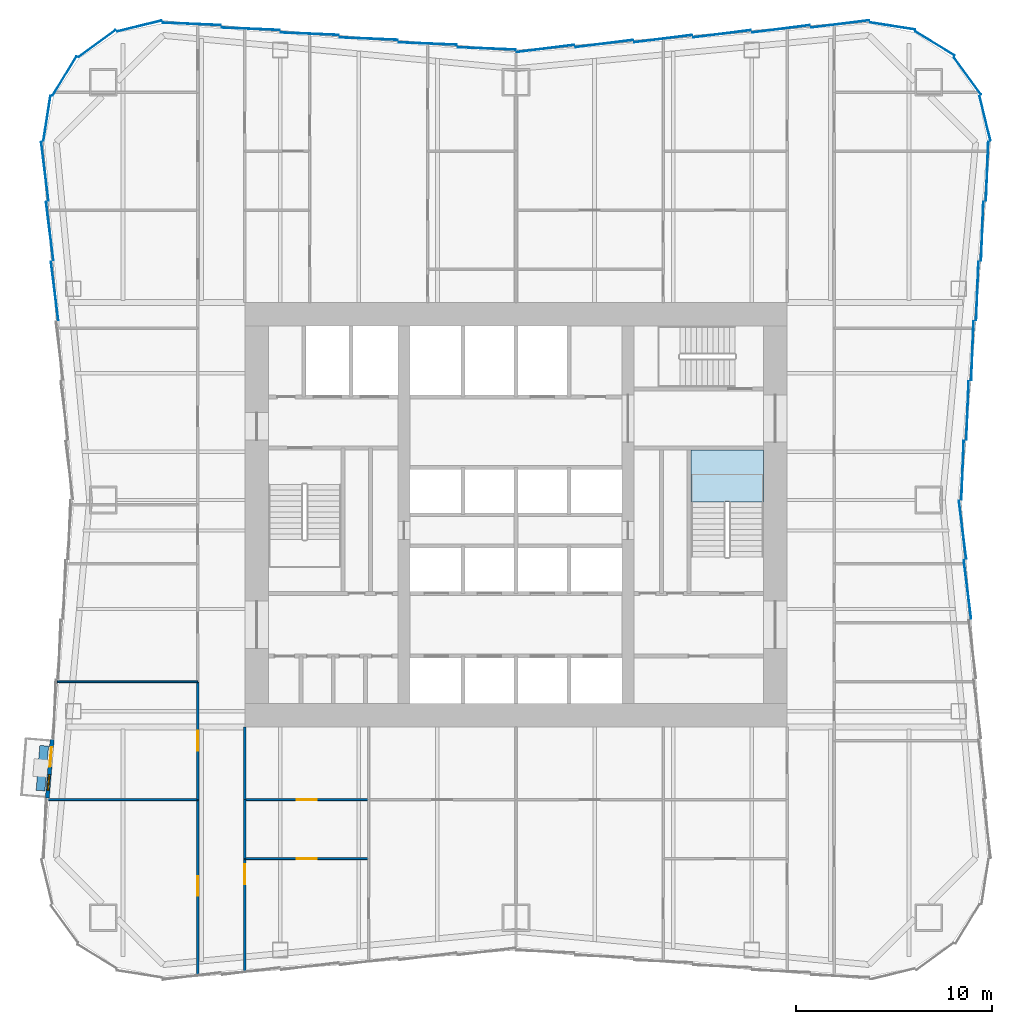
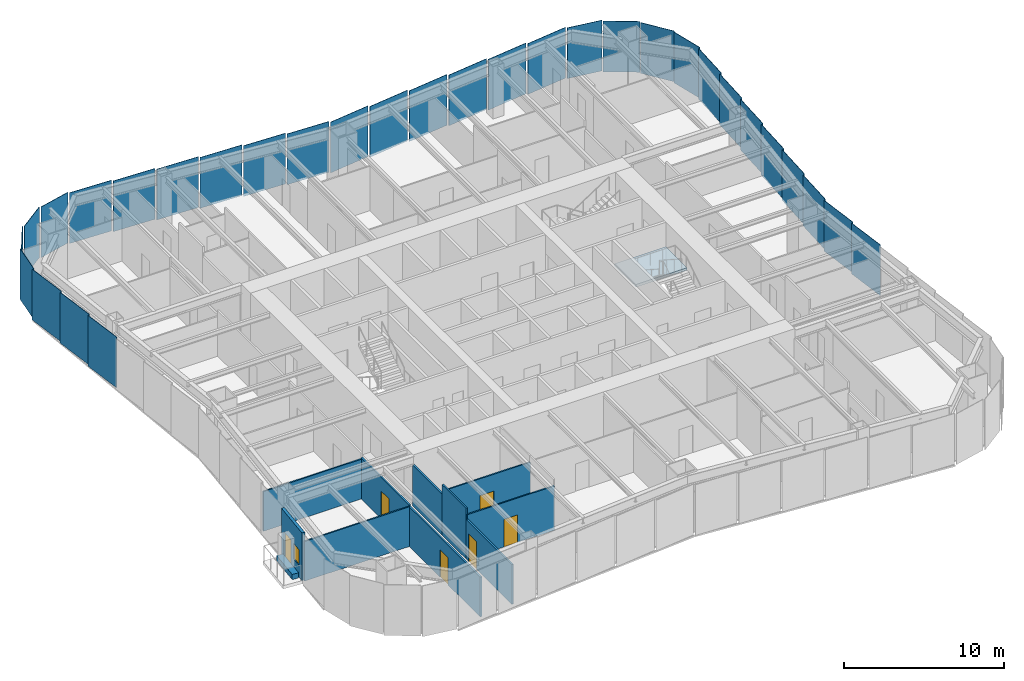
# One storey, part 3 of 9: 31 plates, 11 walls, 6 doors, 1 slab, 1 window, 7 openings, 6 elements without a shape of their own.
"""IFC4 building model written with IfcOpenShell, lengths in metres."""

from ifc_helpers import new_model, si_unit, direction, frame, frame_2d, origin, origin_2d, place, context, subcontext, project, spatial, polyline, rectangle, outline, extrude, material, layer, layer_set, type_object, element, fill, aggregate, save


model = new_model("IFC4")

# Units and contexts
model_context = context("Model", 3, precision=1e-05, world=origin(), true_north=direction((0.0, 1.0)))
body_context = subcontext(model_context, "Body", "Model", "MODEL_VIEW")
ifc_project = project(units=[si_unit("LENGTHUNIT", "METRE"), si_unit("AREAUNIT", "SQUARE_METRE"), si_unit("VOLUMEUNIT", "CUBIC_METRE"), si_unit("PLANEANGLEUNIT", "RADIAN"), si_unit("MASSUNIT", "GRAM", prefix="KILO")], contexts=[model_context])

# Site, building, storey
site_placement = place(None, origin())
site = spatial("IfcSite", under=ifc_project, at=site_placement, CompositionType="ELEMENT")
building_placement = place(site_placement, origin())
building = spatial("IfcBuilding", under=site, at=building_placement, Name="Verdant Reach Tower", CompositionType="ELEMENT")
storey_placement = place(building_placement, frame((0.0, 0.0, 78.0)))
storey = spatial("IfcBuildingStorey", under=building, at=storey_placement, Name="L17", CompositionType="ELEMENT", Elevation=78.0)

# Stair, slab
ifc_material_1 = material(Name="Concrete C40/50", Category="concrete")
stair_type = type_object("IfcStairType", Name="CO-STAIR", PredefinedType="HALF_TURN_STAIR", material=ifc_material_1)
stair_placement = place(storey_placement, origin())
stair = element("IfcStair", 1, at=stair_placement, inside=storey, type_object=stair_type, Name="L17 Exit stair 2", PredefinedType="HALF_TURN_STAIR")
ifc_layer_1 = layer(ifc_material_1, 0.199951171875)
ifc_layer_set_1 = layer_set([ifc_layer_1], Name="CO-STAIR-LANDING")
slab_type = type_object("IfcSlabType", Name="CO-STAIR-LANDING", PredefinedType="LANDING", material=ifc_layer_set_1)
slab_placement = place(storey_placement, frame((0.0, 0.0, 1.800048828125)))
slab = element("IfcSlab", 2, at=slab_placement, type_object=slab_type, Name="ST-2 landing 1", PredefinedType="LANDING", context=body_context, shape_type="SweptSolid", body=[
    extrude(outline(polyline([(12.60009765625, 28.64990234375), (12.60009765625, 31.300048828125), (8.89990234375, 31.300048828125), (8.89990234375, 28.64990234375), (12.60009765625, 28.64990234375)])), origin(), (0.0, 0.0, 1.0), 0.199951171875),
])
aggregate(stair, [slab])

# Curtain wall, plates
ifc_material_2 = material(Name="Anodised aluminium", Category="aluminium")
curtain_wall_type = type_object("IfcCurtainWallType", Name="EN-CW SYSTEM Z1", PredefinedType="NOTDEFINED", material=ifc_material_2)
curtain_wall_1_placement = place(storey_placement, origin())
curtain_wall_1 = element("IfcCurtainWall", 3, at=curtain_wall_1_placement, inside=storey, type_object=curtain_wall_type, Name="Curtain wall east, L17", PredefinedType="NOTDEFINED")
ifc_material_3 = material(Name="Tinted glass with champagne spandrel", Category="glass")
ifc_layer_2 = layer(ifc_material_3, 0.031982421875)
ifc_layer_set_2 = layer_set([ifc_layer_2], Name="EN-PANEL CHAMPAGNE")
plate_type_1 = type_object("IfcPlateType", Name="EN-PANEL CHAMPAGNE", PredefinedType="CURTAIN_PANEL", material=ifc_layer_set_2)
plate_1_placement = place(storey_placement, frame((22.9775390625, 24.196044921875, -0.22802734375), z_axis=(0.0, 0.0, 1.0), x_axis=(-0.123578623975, 0.992334784081, 0.0)))
plate_1 = element("IfcPlate", 4, at=plate_1_placement, type_object=plate_type_1, Name="Glass panel east face part 1 5.1, L17", PredefinedType="CURTAIN_PANEL", context=body_context, shape_type="SweptSolid", body=[
    extrude(rectangle(XDim=2.993896484375, YDim=0.031982421875, at=origin_2d()), origin(), (0.0, 0.0, 1.0), 3.8779296875),
])
plate_2_placement = place(storey_placement, frame((22.727783203125, 27.2333984375, -0.22802734375), z_axis=(0.0, 0.0, 1.0), x_axis=(-0.123691487663, 0.992320722287, 0.0)))
plate_2 = element("IfcPlate", 5, at=plate_2_placement, type_object=plate_type_1, Name="Glass panel east face part 1 6.1, L17", PredefinedType="CURTAIN_PANEL", context=body_context, shape_type="SweptSolid", body=[
    extrude(rectangle(XDim=2.985595703125, YDim=0.031982421875, at=origin_2d()), origin(), (0.0, 0.0, 1.0), 3.8779296875),
])
plate_3_placement = place(storey_placement, frame((22.727783203125, 30.2666015625, -0.22802734375), z_axis=(0.0, 0.0, 1.0), x_axis=(0.040222426271, 0.99919075077, 0.0)))
plate_3 = element("IfcPlate", 6, at=plate_3_placement, type_object=plate_type_1, Name="Glass panel east face part 2 1.1, L17", PredefinedType="CURTAIN_PANEL", context=body_context, shape_type="SweptSolid", body=[
    extrude(rectangle(XDim=2.985595703125, YDim=0.031982421875, at=origin_2d()), origin(), (0.0, 0.0, 1.0), 3.8779296875),
])

curtain_wall_2_placement = place(storey_placement, origin())
curtain_wall_2 = element("IfcCurtainWall", 7, at=curtain_wall_2_placement, inside=storey, type_object=curtain_wall_type, Name="Curtain wall north, L17", PredefinedType="NOTDEFINED")
plate_4_placement = place(storey_placement, frame((7.491455078125, 52.2275390625, -0.22802734375), z_axis=(0.0, 0.0, 1.0), x_axis=(-0.992194034542, -0.124703639961, 0.0)))
plate_4 = element("IfcPlate", 8, at=plate_4_placement, type_object=plate_type_1, Name="Glass panel north face part 1 4.1, L17", PredefinedType="CURTAIN_PANEL", context=body_context, shape_type="SweptSolid", body=[
    extrude(rectangle(XDim=2.952392578125, YDim=0.031982421875, at=origin_2d()), origin(), (0.0, 0.0, 1.0), 3.8779296875),
])
plate_5_placement = place(storey_placement, frame((4.491455078125, 51.9775390625, -0.22802734375), z_axis=(0.0, 0.0, 1.0), x_axis=(-0.992194034542, -0.124703639961, 0.0)))
plate_5 = element("IfcPlate", 9, at=plate_5_placement, type_object=plate_type_1, Name="Glass panel north face part 1 5.1, L17", PredefinedType="CURTAIN_PANEL", context=body_context, shape_type="SweptSolid", body=[
    extrude(rectangle(XDim=2.952392578125, YDim=0.031982421875, at=origin_2d()), origin(), (0.0, 0.0, 1.0), 3.8779296875),
])
plate_6_placement = place(storey_placement, frame((-13.491455078125, 52.7275390625, -0.22802734375), z_axis=(0.0, 0.0, 1.0), x_axis=(-0.999149202059, 0.041241629766, 0.0)))
plate_6 = element("IfcPlate", 10, at=plate_6_placement, type_object=plate_type_1, Name="Glass panel north face part 2 5.1, L17", PredefinedType="CURTAIN_PANEL", context=body_context, shape_type="SweptSolid", body=[
    extrude(rectangle(XDim=2.952392578125, YDim=0.031982421875, at=origin_2d()), origin(), (0.0, 0.0, 1.0), 3.8779296875),
])
plate_7_placement = place(storey_placement, frame((-16.49853515625, 52.977783203125, -0.22802734375), z_axis=(0.0, 0.0, 1.0), x_axis=(-0.999162836679, 0.040909971885, 0.0)))
plate_7 = element("IfcPlate", 11, at=plate_7_placement, type_object=plate_type_1, Name="Glass panel north face part 2 6.1, L17", PredefinedType="CURTAIN_PANEL", context=body_context, shape_type="SweptSolid", body=[
    extrude(rectangle(XDim=2.966796875, YDim=0.031982421875, at=origin_2d()), origin(), (0.0, 0.0, 1.0), 3.8779296875),
])

# Curtain wall, plate
curtain_wall_3_placement = place(storey_placement, origin())
curtain_wall_3 = element("IfcCurtainWall", 12, at=curtain_wall_3_placement, inside=storey, type_object=curtain_wall_type, Name="Curtain wall north-west corner, L17", PredefinedType="NOTDEFINED")
plate_8_placement = place(storey_placement, frame((-23.87060546875, 48.170654296875, -0.22802734375), z_axis=(0.0, 0.0, 1.0), x_axis=(-0.154247912016, -0.988032176419, 0.0)))
plate_8 = element("IfcPlate", 13, at=plate_8_placement, type_object=plate_type_1, Name="Glass panel north-west corner 4.1, L17", PredefinedType="CURTAIN_PANEL", context=body_context, shape_type="SweptSolid", body=[
    extrude(rectangle(XDim=2.3173828125, YDim=0.031982421875, at=origin_2d()), origin(), (0.0, 0.0, 1.0), 3.8779296875),
])

# Curtain wall, plates
curtain_wall_4_placement = place(storey_placement, origin())
curtain_wall_4 = element("IfcCurtainWall", 14, at=curtain_wall_4_placement, inside=storey, type_object=curtain_wall_type, Name="Curtain wall west, L17", PredefinedType="NOTDEFINED")
plate_9_placement = place(storey_placement, frame((-23.7275390625, 42.428955078125, -0.22802734375), z_axis=(0.0, 0.0, 1.0), x_axis=(0.123578623975, -0.992334784081, 0.0)))
plate_9 = element("IfcPlate", 15, at=plate_9_placement, type_object=plate_type_1, Name="Glass panel west face part 1 2.1, L17", PredefinedType="CURTAIN_PANEL", context=body_context, shape_type="SweptSolid", body=[
    extrude(rectangle(XDim=2.993896484375, YDim=0.031982421875, at=origin_2d()), origin(), (0.0, 0.0, 1.0), 3.8779296875),
])
plate_10_placement = place(storey_placement, frame((-23.4775390625, 39.387451171875, -0.22802734375), z_axis=(0.0, 0.0, 1.0), x_axis=(0.123578623975, -0.992334784081, 0.0)))
plate_10 = element("IfcPlate", 16, at=plate_10_placement, type_object=plate_type_1, Name="Glass panel west face part 1 3.1, L17", PredefinedType="CURTAIN_PANEL", context=body_context, shape_type="SweptSolid", body=[
    extrude(rectangle(XDim=2.993896484375, YDim=0.031982421875, at=origin_2d()), origin(), (0.0, 0.0, 1.0), 3.8779296875),
])

# Plate
ifc_material_4 = material(Name="Tinted glass with copper spandrel", Category="glass")
ifc_layer_3 = layer(ifc_material_4, 0.031982421875)
ifc_layer_set_3 = layer_set([ifc_layer_3], Name="EN-PANEL COPPER")
plate_type_2 = type_object("IfcPlateType", Name="EN-PANEL COPPER", PredefinedType="CURTAIN_PANEL", material=ifc_layer_set_3)
plate_11_placement = place(storey_placement, frame((22.9775390625, 33.303955078125, -0.22802734375), z_axis=(0.0, 0.0, 1.0), x_axis=(0.040108781752, 0.999195319057, 0.0)))
plate_11 = element("IfcPlate", 17, at=plate_11_placement, type_object=plate_type_2, Name="Glass panel east face part 2 2.1, L17", PredefinedType="CURTAIN_PANEL", context=body_context, shape_type="SweptSolid", body=[
    extrude(rectangle(XDim=2.993896484375, YDim=0.031982421875, at=origin_2d()), origin(), (0.0, 0.0, 1.0), 3.8779296875),
])

plate_12_placement = place(storey_placement, frame((23.2275390625, 36.345703125, -0.22802734375), z_axis=(0.0, 0.0, 1.0), x_axis=(0.040108781752, 0.999195319057, 0.0)))
plate_12 = element("IfcPlate", 18, at=plate_12_placement, type_object=plate_type_2, Name="Glass panel east face part 2 3.1, L17", PredefinedType="CURTAIN_PANEL", context=body_context, shape_type="SweptSolid", body=[
    extrude(rectangle(XDim=2.993896484375, YDim=0.031982421875, at=origin_2d()), origin(), (0.0, 0.0, 1.0), 3.8779296875),
])

# Curtain wall, plates
curtain_wall_5_placement = place(storey_placement, origin())
curtain_wall_5 = element("IfcCurtainWall", 19, at=curtain_wall_5_placement, inside=storey, type_object=curtain_wall_type, Name="Curtain wall north-east corner, L17", PredefinedType="NOTDEFINED")
plate_13_placement = place(storey_placement, frame((23.87060546875, 48.170654296875, -0.22802734375), z_axis=(0.0, 0.0, 1.0), x_axis=(-0.236383344544, 0.971659875894, 0.0)))
plate_13 = element("IfcPlate", 20, at=plate_13_placement, type_object=plate_type_2, Name="Glass panel north-east corner 1.1, L17", PredefinedType="CURTAIN_PANEL", context=body_context, shape_type="SweptSolid", body=[
    extrude(rectangle(XDim=2.3173828125, YDim=0.031982421875, at=origin_2d()), origin(), (0.0, 0.0, 1.0), 3.8779296875),
])
plate_14_placement = place(storey_placement, frame((22.97705078125, 50.325439453125, -0.22802734375), z_axis=(0.0, 0.0, 1.0), x_axis=(-0.589926768145, 0.807456753161, 0.0)))
plate_14 = element("IfcPlate", 21, at=plate_14_placement, type_object=plate_type_2, Name="Glass panel north-east corner 2.1, L17", PredefinedType="CURTAIN_PANEL", context=body_context, shape_type="SweptSolid", body=[
    extrude(rectangle(XDim=2.3232421875, YDim=0.031982421875, at=origin_2d()), origin(), (0.0, 0.0, 1.0), 3.8779296875),
])

# Plate
plate_15_placement = place(storey_placement, frame((1.49560546875, 51.727783203125, -0.22802734375), z_axis=(0.0, 0.0, 1.0), x_axis=(-0.992179247355, -0.124821236644, 0.0)))
plate_15 = element("IfcPlate", 22, at=plate_15_placement, type_object=plate_type_2, Name="Glass panel north face part 1 6.1, L17", PredefinedType="CURTAIN_PANEL", context=body_context, shape_type="SweptSolid", body=[
    extrude(rectangle(XDim=2.94384765625, YDim=0.031982421875, at=origin_2d()), origin(), (0.0, 0.0, 1.0), 3.8779296875),
])

plate_16_placement = place(storey_placement, frame((-1.49560546875, 51.727783203125, -0.22802734375), z_axis=(0.0, 0.0, 1.0), x_axis=(-0.99914430697, 0.041360051381, 0.0)))
plate_16 = element("IfcPlate", 23, at=plate_16_placement, type_object=plate_type_2, Name="Glass panel north face part 2 1.1, L17", PredefinedType="CURTAIN_PANEL", context=body_context, shape_type="SweptSolid", body=[
    extrude(rectangle(XDim=2.94384765625, YDim=0.031982421875, at=origin_2d()), origin(), (0.0, 0.0, 1.0), 3.8779296875),
])

plate_17_placement = place(storey_placement, frame((-4.491455078125, 51.9775390625, -0.22802734375), z_axis=(0.0, 0.0, 1.0), x_axis=(-0.999149202059, 0.041241629766, 0.0)))
plate_17 = element("IfcPlate", 24, at=plate_17_placement, type_object=plate_type_2, Name="Glass panel north face part 2 2.1, L17", PredefinedType="CURTAIN_PANEL", context=body_context, shape_type="SweptSolid", body=[
    extrude(rectangle(XDim=2.952392578125, YDim=0.031982421875, at=origin_2d()), origin(), (0.0, 0.0, 1.0), 3.8779296875),
])

ifc_material_5 = material(Name="Tinted glass with dark bronze spandrel", Category="glass")
ifc_layer_4 = layer(ifc_material_5, 0.031982421875)
ifc_layer_set_4 = layer_set([ifc_layer_4], Name="EN-PANEL DARK")
plate_type_3 = type_object("IfcPlateType", Name="EN-PANEL DARK", PredefinedType="CURTAIN_PANEL", material=ifc_layer_set_4)
plate_18_placement = place(storey_placement, frame((23.4775390625, 39.387451171875, -0.22802734375), z_axis=(0.0, 0.0, 1.0), x_axis=(0.040108781752, 0.999195319057, 0.0)))
plate_18 = element("IfcPlate", 25, at=plate_18_placement, type_object=plate_type_3, Name="Glass panel east face part 2 4.1, L17", PredefinedType="CURTAIN_PANEL", context=body_context, shape_type="SweptSolid", body=[
    extrude(rectangle(XDim=2.993896484375, YDim=0.031982421875, at=origin_2d()), origin(), (0.0, 0.0, 1.0), 3.8779296875),
])

plate_19_placement = place(storey_placement, frame((23.7275390625, 42.428955078125, -0.22802734375), z_axis=(0.0, 0.0, 1.0), x_axis=(0.040108781752, 0.999195319057, 0.0)))
plate_19 = element("IfcPlate", 26, at=plate_19_placement, type_object=plate_type_3, Name="Glass panel east face part 2 5.1, L17", PredefinedType="CURTAIN_PANEL", context=body_context, shape_type="SweptSolid", body=[
    extrude(rectangle(XDim=2.993896484375, YDim=0.031982421875, at=origin_2d()), origin(), (0.0, 0.0, 1.0), 3.8779296875),
])

plate_20_placement = place(storey_placement, frame((23.977783203125, 45.477783203125, -0.22802734375), z_axis=(0.0, 0.0, 1.0), x_axis=(0.039784239139, 0.999208293759, 0.0)))
plate_20 = element("IfcPlate", 27, at=plate_20_placement, type_object=plate_type_3, Name="Glass panel east face part 2 6.1, L17", PredefinedType="CURTAIN_PANEL", context=body_context, shape_type="SweptSolid", body=[
    extrude(rectangle(XDim=3.00830078125, YDim=0.031982421875, at=origin_2d()), origin(), (0.0, 0.0, 1.0), 3.8779296875),
])

aggregate(curtain_wall_1, [plate_1, plate_2, plate_3, plate_11, plate_12, plate_18, plate_19, plate_20])

plate_21_placement = place(storey_placement, frame((21.325439453125, 51.97705078125, -0.22802734375), z_axis=(0.0, 0.0, 1.0), x_axis=(-0.85398868836, 0.520291572248, 0.0)))
plate_21 = element("IfcPlate", 28, at=plate_21_placement, type_object=plate_type_3, Name="Glass panel north-east corner 3.1, L17", PredefinedType="CURTAIN_PANEL", context=body_context, shape_type="SweptSolid", body=[
    extrude(rectangle(XDim=2.3232421875, YDim=0.031982421875, at=origin_2d()), origin(), (0.0, 0.0, 1.0), 3.8779296875),
])

plate_22_placement = place(storey_placement, frame((19.170654296875, 52.87060546875, -0.22802734375), z_axis=(0.0, 0.0, 1.0), x_axis=(-0.988032704995, 0.154244526195, 0.0)))
plate_22 = element("IfcPlate", 29, at=plate_22_placement, type_object=plate_type_3, Name="Glass panel north-east corner 4.1, L17", PredefinedType="CURTAIN_PANEL", context=body_context, shape_type="SweptSolid", body=[
    extrude(rectangle(XDim=2.317626953125, YDim=0.031982421875, at=origin_2d()), origin(), (0.0, 0.0, 1.0), 3.8779296875),
])

aggregate(curtain_wall_5, [plate_13, plate_14, plate_21, plate_22])

plate_23_placement = place(storey_placement, frame((16.49853515625, 52.977783203125, -0.22802734375), z_axis=(0.0, 0.0, 1.0), x_axis=(-0.99223537376, -0.124374286167, 0.0)))
plate_23 = element("IfcPlate", 30, at=plate_23_placement, type_object=plate_type_3, Name="Glass panel north face part 1 1.1, L17", PredefinedType="CURTAIN_PANEL", context=body_context, shape_type="SweptSolid", body=[
    extrude(rectangle(XDim=2.966796875, YDim=0.031982421875, at=origin_2d()), origin(), (0.0, 0.0, 1.0), 3.8779296875),
])

plate_24_placement = place(storey_placement, frame((13.491455078125, 52.7275390625, -0.22802734375), z_axis=(0.0, 0.0, 1.0), x_axis=(-0.992194034542, -0.124703639961, 0.0)))
plate_24 = element("IfcPlate", 31, at=plate_24_placement, type_object=plate_type_3, Name="Glass panel north face part 1 2.1, L17", PredefinedType="CURTAIN_PANEL", context=body_context, shape_type="SweptSolid", body=[
    extrude(rectangle(XDim=2.952392578125, YDim=0.031982421875, at=origin_2d()), origin(), (0.0, 0.0, 1.0), 3.8779296875),
])

plate_25_placement = place(storey_placement, frame((10.491455078125, 52.4775390625, -0.22802734375), z_axis=(0.0, 0.0, 1.0), x_axis=(-0.992194034542, -0.124703639961, 0.0)))
plate_25 = element("IfcPlate", 32, at=plate_25_placement, type_object=plate_type_3, Name="Glass panel north face part 1 3.1, L17", PredefinedType="CURTAIN_PANEL", context=body_context, shape_type="SweptSolid", body=[
    extrude(rectangle(XDim=2.952392578125, YDim=0.031982421875, at=origin_2d()), origin(), (0.0, 0.0, 1.0), 3.8779296875),
])

plate_26_placement = place(storey_placement, frame((-7.491455078125, 52.2275390625, -0.22802734375), z_axis=(0.0, 0.0, 1.0), x_axis=(-0.999149202059, 0.041241629766, 0.0)))
plate_26 = element("IfcPlate", 33, at=plate_26_placement, type_object=plate_type_3, Name="Glass panel north face part 2 3.1, L17", PredefinedType="CURTAIN_PANEL", context=body_context, shape_type="SweptSolid", body=[
    extrude(rectangle(XDim=2.952392578125, YDim=0.031982421875, at=origin_2d()), origin(), (0.0, 0.0, 1.0), 3.8779296875),
])

plate_27_placement = place(storey_placement, frame((-10.491455078125, 52.4775390625, -0.22802734375), z_axis=(0.0, 0.0, 1.0), x_axis=(-0.999149202059, 0.041241629766, 0.0)))
plate_27 = element("IfcPlate", 34, at=plate_27_placement, type_object=plate_type_3, Name="Glass panel north face part 2 4.1, L17", PredefinedType="CURTAIN_PANEL", context=body_context, shape_type="SweptSolid", body=[
    extrude(rectangle(XDim=2.952392578125, YDim=0.031982421875, at=origin_2d()), origin(), (0.0, 0.0, 1.0), 3.8779296875),
])

aggregate(curtain_wall_2, [plate_23, plate_24, plate_25, plate_4, plate_5, plate_15, plate_16, plate_17, plate_26, plate_27, plate_6, plate_7])

plate_28_placement = place(storey_placement, frame((-19.170654296875, 52.87060546875, -0.22802734375), z_axis=(0.0, 0.0, 1.0), x_axis=(-0.971660685934, -0.236380014828, 0.0)))
plate_28 = element("IfcPlate", 35, at=plate_28_placement, type_object=plate_type_3, Name="Glass panel north-west corner 1.1, L17", PredefinedType="CURTAIN_PANEL", context=body_context, shape_type="SweptSolid", body=[
    extrude(rectangle(XDim=2.317626953125, YDim=0.031982421875, at=origin_2d()), origin(), (0.0, 0.0, 1.0), 3.8779296875),
])

plate_29_placement = place(storey_placement, frame((-21.325439453125, 51.97705078125, -0.22802734375), z_axis=(0.0, 0.0, 1.0), x_axis=(-0.807456753161, -0.589926768145, 0.0)))
plate_29 = element("IfcPlate", 36, at=plate_29_placement, type_object=plate_type_3, Name="Glass panel north-west corner 2.1, L17", PredefinedType="CURTAIN_PANEL", context=body_context, shape_type="SweptSolid", body=[
    extrude(rectangle(XDim=2.3232421875, YDim=0.031982421875, at=origin_2d()), origin(), (0.0, 0.0, 1.0), 3.8779296875),
])

plate_30_placement = place(storey_placement, frame((-22.97705078125, 50.325439453125, -0.22802734375), z_axis=(0.0, 0.0, 1.0), x_axis=(-0.520291572248, -0.85398868836, 0.0)))
plate_30 = element("IfcPlate", 37, at=plate_30_placement, type_object=plate_type_3, Name="Glass panel north-west corner 3.1, L17", PredefinedType="CURTAIN_PANEL", context=body_context, shape_type="SweptSolid", body=[
    extrude(rectangle(XDim=2.3232421875, YDim=0.031982421875, at=origin_2d()), origin(), (0.0, 0.0, 1.0), 3.8779296875),
])

aggregate(curtain_wall_3, [plate_28, plate_29, plate_30, plate_8])

plate_31_placement = place(storey_placement, frame((-23.977783203125, 45.477783203125, -0.22802734375), z_axis=(0.0, 0.0, 1.0), x_axis=(0.123256305275, -0.992374870304, 0.0)))
plate_31 = element("IfcPlate", 38, at=plate_31_placement, type_object=plate_type_3, Name="Glass panel west face part 1 1.1, L17", PredefinedType="CURTAIN_PANEL", context=body_context, shape_type="SweptSolid", body=[
    extrude(rectangle(XDim=3.00830078125, YDim=0.031982421875, at=origin_2d()), origin(), (0.0, 0.0, 1.0), 3.8779296875),
])

aggregate(curtain_wall_4, [plate_31, plate_9, plate_10])

# Wall, openings, door, window
ifc_material_6 = material(Name="Insulated bronze aluminium panel wall", Category="aluminium")
ifc_layer_5 = layer(ifc_material_6, 0.219970703125)
ifc_layer_set_5 = layer_set([ifc_layer_5], Name="EN-INFILL WALL")
wall_type_1 = type_object("IfcWallType", Name="EN-INFILL WALL", PredefinedType="SOLIDWALL", material=ifc_layer_set_5)
wall_1_placement = place(storey_placement, frame((-23.605224609375, 16.560791015625, 0.0), z_axis=(0.0, 0.0, 1.0), x_axis=(-0.081903334605, -0.996640278024, 0.0)))
wall_1 = element("IfcWall", 39, at=wall_1_placement, inside=storey, type_object=wall_type_1, Name="External infill wall, balcony bay 1, L17", PredefinedType="SOLIDWALL", context=body_context, shape_type="SweptSolid", body=[
    extrude(rectangle(XDim=2.98974609375, YDim=0.2060546875, at=frame_2d((1.494873046875, 0.0))), origin(), (0.0, 0.0, 1.0), 3.64990234375),
])
opening_1_placement = place(wall_1_placement, frame((0.396484375, 0.0, 0.0)))
opening_1 = element("IfcOpeningElement", 40, at=opening_1_placement, cuts=wall_1, Name="Opening BD1", PredefinedType="OPENING", context=body_context, shape_type="SweptSolid", body=[
    extrude(rectangle(XDim=1.0, YDim=2.10009765625, at=frame_2d((0.5, 1.050048828125))), frame((0.0, 0.113037109375, 0.0), z_axis=(0.0, -1.0, 0.0), x_axis=(1.0, 0.0, 0.0)), (0.0, 0.0, 1.0), 0.22607421875),
])
opening_2_placement = place(wall_1_placement, frame((1.793212890625, 0.0, 0.89990234375)))
opening_2 = element("IfcOpeningElement", 41, at=opening_2_placement, cuts=wall_1, Name="Opening BW1", PredefinedType="OPENING", context=body_context, shape_type="SweptSolid", body=[
    extrude(rectangle(XDim=0.800048828125, YDim=1.199951171875, at=frame_2d((0.39990234375, 0.60009765625))), frame((0.0, 0.113037109375, 0.0), z_axis=(0.0, -1.0, 0.0), x_axis=(1.0, 0.0, 0.0)), (0.0, 0.0, 1.0), 0.22607421875),
])
ifc_material_7 = material(Name="Aluminium framed glazed door", Category="aluminium")
door_type_1 = type_object("IfcDoorType", Name="EN-DOOR BALCONY", OperationType="NOTDEFINED", PredefinedType="DOOR", material=ifc_material_7)
door_1_placement = place(opening_1_placement, origin())
door_1 = element("IfcDoor", 42, at=door_1_placement, inside=storey, type_object=door_type_1, Name="Balcony door 1, L17", OperationType="SINGLE_SWING_LEFT", OverallHeight=2.10009765625, OverallWidth=1.0, PredefinedType="DOOR", context=body_context, shape_type="SweptSolid", body=[
    extrude(rectangle(XDim=1.0, YDim=2.10009765625, at=frame_2d((0.5, 1.050048828125))), frame((0.0, 0.02490234375, 0.0), z_axis=(0.0, -1.0, 0.0), x_axis=(1.0, 0.0, 0.0)), (0.0, 0.0, 1.0), 0.050048828125),
])
fill(opening_1, door_1)
ifc_material_8 = material(Name="Aluminium framed glazing", Category="aluminium")
window_type = type_object("IfcWindowType", Name="EN-WINDOW BALCONY", PartitioningType="SINGLE_PANEL", PredefinedType="WINDOW", material=ifc_material_8)
window_placement = place(opening_2_placement, origin())
window = element("IfcWindow", 43, at=window_placement, inside=storey, type_object=window_type, Name="Balcony window 1, L17", OverallHeight=1.199951171875, OverallWidth=0.800048828125, PartitioningType="SINGLE_PANEL", PredefinedType="WINDOW", context=body_context, shape_type="SweptSolid", body=[
    extrude(rectangle(XDim=0.800048828125, YDim=1.199951171875, at=frame_2d((0.39990234375, 0.60009765625))), frame((0.0, 0.030029296875, 0.0), z_axis=(0.0, -1.0, 0.0), x_axis=(1.0, 0.0, 0.0)), (0.0, 0.0, 1.0), 0.06005859375),
])
fill(opening_2, window)

# Walls
ifc_material_9 = material(Name="Precast concrete C30/37", Category="concrete")
ifc_layer_6 = layer(ifc_material_9, 0.449951171875)
ifc_layer_set_6 = layer_set([ifc_layer_6], Name="EN-PLANTER")
wall_type_2 = type_object("IfcWallType", Name="EN-PLANTER", PredefinedType="USERDEFINED", material=ifc_layer_set_6)
wall_2_placement = place(storey_placement, frame((-24.010498046875, 16.242919921875, 0.0), z_axis=(0.0, 0.0, 1.0), x_axis=(-0.081986639556, -0.996633428566, 0.0)))
element("IfcWall", 44, at=wall_2_placement, inside=storey, type_object=wall_type_2, Name="Balcony planter 1, L17", ObjectType="PLANTER", PredefinedType="USERDEFINED", context=body_context, shape_type="SweptSolid", body=[
    extrude(rectangle(XDim=2.2900390625, YDim=0.449951171875, at=frame_2d((1.14501953125, 0.0))), origin(), (0.0, 0.0, 1.0), 0.39990234375),
])
ifc_material_10 = material(Name="Gypsum board on steel studs", Category="steel")
ifc_layer_7 = layer(ifc_material_10, 0.10009765625)
ifc_layer_set_7 = layer_set([ifc_layer_7], Name="FL-W1 Partition 100")
wall_type_3 = type_object("IfcWallType", Name="FL-W1 Partition 100", PredefinedType="PARTITIONING", material=ifc_layer_set_7)
wall_3_placement = place(storey_placement, frame((-16.199951171875, 13.5, 0.0), z_axis=(0.0, 0.0, 1.0), x_axis=(-1.0, 0.0, 0.0)))
element("IfcWall", 45, at=wall_3_placement, inside=storey, type_object=wall_type_3, Name="Partition 17.29", PredefinedType="PARTITIONING", context=body_context, shape_type="SweptSolid", body=[
    extrude(rectangle(XDim=7.633544921875, YDim=0.10009765625, at=frame_2d((3.81689453125, 0.0))), origin(), (0.0, 0.0, 1.0), 3.0400390625),
])
wall_4_placement = place(storey_placement, frame((-16.199951171875, 19.5, 0.0), z_axis=(0.0, 0.0, 1.0), x_axis=(-1.0, 0.0, 0.0)))
element("IfcWall", 46, at=wall_4_placement, inside=storey, type_object=wall_type_3, Name="Partition 17.30", PredefinedType="PARTITIONING", context=body_context, shape_type="SweptSolid", body=[
    extrude(rectangle(XDim=7.140380859375, YDim=0.10009765625, at=frame_2d((3.5703125, 0.0))), origin(), (0.0, 0.0, 1.0), 3.0400390625),
])

# Wall, opening, door
wall_5_placement = place(storey_placement, frame((-13.800048828125, 10.5, 0.0), z_axis=(0.0, 0.0, 1.0), x_axis=(1.0, 0.0, 0.0)))
wall_5 = element("IfcWall", 47, at=wall_5_placement, inside=storey, type_object=wall_type_3, Name="Partition 17.43", PredefinedType="PARTITIONING", context=body_context, shape_type="SweptSolid", body=[
    extrude(rectangle(XDim=6.300048828125, YDim=0.10009765625, at=frame_2d((3.14990234375, 0.0))), origin(), (0.0, 0.0, 1.0), 3.389892578125),
])
opening_3_placement = place(wall_5_placement, frame((2.64990234375, 0.0, 0.0)))
opening_3 = element("IfcOpeningElement", 48, at=opening_3_placement, cuts=wall_5, Name="Opening D3", PredefinedType="OPENING", context=body_context, shape_type="SweptSolid", body=[
    extrude(rectangle(XDim=1.0, YDim=2.10009765625, at=frame_2d((0.5, 1.050048828125))), frame((0.0, 0.06005859375, 0.0), z_axis=(0.0, -1.0, 0.0), x_axis=(1.0, 0.0, 0.0)), (0.0, 0.0, 1.0), 0.1201171875),
])
ifc_material_11 = material(Name="Painted timber door leaf", Category="wood")
door_type_2 = type_object("IfcDoorType", Name="FL-D3 Door 1000x2100", OperationType="NOTDEFINED", PredefinedType="DOOR", material=ifc_material_11)
door_2_placement = place(opening_3_placement, origin())
door_2 = element("IfcDoor", 49, at=door_2_placement, inside=storey, type_object=door_type_2, Name="Door 17-023", OperationType="SINGLE_SWING_LEFT", OverallHeight=2.10009765625, OverallWidth=1.0, PredefinedType="DOOR", context=body_context, shape_type="SweptSolid", body=[
    extrude(rectangle(XDim=1.0, YDim=2.10009765625, at=frame_2d((0.5, 1.050048828125))), frame((0.0, 0.02490234375, 0.0), z_axis=(0.0, -1.0, 0.0), x_axis=(1.0, 0.0, 0.0)), (0.0, 0.0, 1.0), 0.050048828125),
])
fill(opening_3, door_2)

wall_6_placement = place(storey_placement, frame((-13.800048828125, 13.5, 0.0), z_axis=(0.0, 0.0, 1.0), x_axis=(1.0, 0.0, 0.0)))
wall_6 = element("IfcWall", 50, at=wall_6_placement, inside=storey, type_object=wall_type_3, Name="Partition 17.45", PredefinedType="PARTITIONING", context=body_context, shape_type="SweptSolid", body=[
    extrude(rectangle(XDim=6.300048828125, YDim=0.10009765625, at=frame_2d((3.14990234375, 0.0))), origin(), (0.0, 0.0, 1.0), 3.389892578125),
])
opening_4_placement = place(wall_6_placement, frame((2.64990234375, 0.0, 0.0)))
opening_4 = element("IfcOpeningElement", 51, at=opening_4_placement, cuts=wall_6, Name="Opening D3", PredefinedType="OPENING", context=body_context, shape_type="SweptSolid", body=[
    extrude(rectangle(XDim=1.0, YDim=2.10009765625, at=frame_2d((0.5, 1.050048828125))), frame((0.0, 0.06005859375, 0.0), z_axis=(0.0, -1.0, 0.0), x_axis=(1.0, 0.0, 0.0)), (0.0, 0.0, 1.0), 0.1201171875),
])
door_3_placement = place(opening_4_placement, origin())
door_3 = element("IfcDoor", 52, at=door_3_placement, inside=storey, type_object=door_type_2, Name="Door 17-025", OperationType="SINGLE_SWING_LEFT", OverallHeight=2.10009765625, OverallWidth=1.0, PredefinedType="DOOR", context=body_context, shape_type="SweptSolid", body=[
    extrude(rectangle(XDim=1.0, YDim=2.10009765625, at=frame_2d((0.5, 1.050048828125))), frame((0.0, 0.02490234375, 0.0), z_axis=(0.0, -1.0, 0.0), x_axis=(1.0, 0.0, 0.0)), (0.0, 0.0, 1.0), 0.050048828125),
])
fill(opening_4, door_3)

ifc_material_12 = material(Name="Gypsum board on steel studs, fire rated", Category="steel")
ifc_layer_8 = layer(ifc_material_12, 0.125)
ifc_layer_set_8 = layer_set([ifc_layer_8], Name="FL-W2 Corridor wall 125")
wall_type_4 = type_object("IfcWallType", Name="FL-W2 Corridor wall 125", PredefinedType="PARTITIONING", material=ifc_layer_set_8)
wall_7_placement = place(storey_placement, frame((-16.199951171875, 4.570068359375, 0.0), z_axis=(0.0, 0.0, 1.0), x_axis=(0.0, 1.0, 0.0)))
wall_7 = element("IfcWall", 53, at=wall_7_placement, inside=storey, type_object=wall_type_4, Name="Partition 17.01", PredefinedType="PARTITIONING", context=body_context, shape_type="SweptSolid", body=[
    extrude(rectangle(XDim=8.929931640625, YDim=0.125, at=frame_2d((4.46484375, 0.0))), origin(), (0.0, 0.0, 1.0), 3.0400390625),
])
opening_5_placement = place(wall_7_placement, frame((4.030029296875, 0.0, 0.0)))
opening_5 = element("IfcOpeningElement", 54, at=opening_5_placement, cuts=wall_7, Name="Opening D2", PredefinedType="OPENING", context=body_context, shape_type="SweptSolid", body=[
    extrude(rectangle(XDim=1.0, YDim=2.10009765625, at=frame_2d((0.5, 1.050048828125))), frame((0.0, 0.072509765625, 0.0), z_axis=(0.0, -1.0, 0.0), x_axis=(1.0, 0.0, 0.0)), (0.0, 0.0, 1.0), 0.14501953125),
])
ifc_material_13 = material(Name="Timber door leaf, fire rated", Category="wood")
door_type_3 = type_object("IfcDoorType", Name="FL-D2 Entrance door 1000x2100 FD30", OperationType="NOTDEFINED", PredefinedType="DOOR", material=ifc_material_13)
door_4_placement = place(opening_5_placement, origin())
door_4 = element("IfcDoor", 55, at=door_4_placement, inside=storey, type_object=door_type_3, Name="Door 17-001", OperationType="SINGLE_SWING_RIGHT", OverallHeight=2.10009765625, OverallWidth=1.0, PredefinedType="DOOR", context=body_context, shape_type="SweptSolid", body=[
    extrude(rectangle(XDim=1.0, YDim=2.10009765625, at=frame_2d((0.5, 1.050048828125))), frame((0.0, 0.02490234375, 0.0), z_axis=(0.0, -1.0, 0.0), x_axis=(1.0, 0.0, 0.0)), (0.0, 0.0, 1.0), 0.050048828125),
])
fill(opening_5, door_4)

wall_8_placement = place(storey_placement, frame((-16.199951171875, 13.5, 0.0), z_axis=(0.0, 0.0, 1.0), x_axis=(0.0, 1.0, 0.0)))
wall_8 = element("IfcWall", 56, at=wall_8_placement, inside=storey, type_object=wall_type_4, Name="Partition 17.02", PredefinedType="PARTITIONING", context=body_context, shape_type="SweptSolid", body=[
    extrude(rectangle(XDim=6.0, YDim=0.125, at=frame_2d((3.0, 0.0))), origin(), (0.0, 0.0, 1.0), 3.139892578125),
])
opening_6_placement = place(wall_8_placement, frame((2.5, 0.0, 0.0)))
opening_6 = element("IfcOpeningElement", 57, at=opening_6_placement, cuts=wall_8, Name="Opening D2", PredefinedType="OPENING", context=body_context, shape_type="SweptSolid", body=[
    extrude(rectangle(XDim=1.0, YDim=2.10009765625, at=frame_2d((0.5, 1.050048828125))), frame((0.0, 0.072509765625, 0.0), z_axis=(0.0, -1.0, 0.0), x_axis=(1.0, 0.0, 0.0)), (0.0, 0.0, 1.0), 0.14501953125),
])
door_5_placement = place(opening_6_placement, origin())
door_5 = element("IfcDoor", 58, at=door_5_placement, inside=storey, type_object=door_type_3, Name="Door 17-002", OperationType="SINGLE_SWING_RIGHT", OverallHeight=2.10009765625, OverallWidth=1.0, PredefinedType="DOOR", context=body_context, shape_type="SweptSolid", body=[
    extrude(rectangle(XDim=1.0, YDim=2.10009765625, at=frame_2d((0.5, 1.050048828125))), frame((0.0, 0.02490234375, 0.0), z_axis=(0.0, -1.0, 0.0), x_axis=(1.0, 0.0, 0.0)), (0.0, 0.0, 1.0), 0.050048828125),
])
fill(opening_6, door_5)

wall_9_placement = place(storey_placement, frame((-13.800048828125, 10.5, 0.0), z_axis=(0.0, 0.0, 1.0), x_axis=(0.0, -1.0, 0.0)))
wall_9 = element("IfcWall", 59, at=wall_9_placement, inside=storey, type_object=wall_type_4, Name="Partition 17.09", PredefinedType="PARTITIONING", context=body_context, shape_type="SweptSolid", body=[
    extrude(rectangle(XDim=5.72998046875, YDim=0.125, at=frame_2d((2.864990234375, 0.0))), origin(), (0.0, 0.0, 1.0), 3.0400390625),
])
opening_7_placement = place(wall_9_placement, frame((0.2998046875, 0.0, 0.0)))
opening_7 = element("IfcOpeningElement", 60, at=opening_7_placement, cuts=wall_9, Name="Opening D2", PredefinedType="OPENING", context=body_context, shape_type="SweptSolid", body=[
    extrude(rectangle(XDim=1.0, YDim=2.10009765625, at=frame_2d((0.5, 1.050048828125))), frame((0.0, 0.072509765625, 0.0), z_axis=(0.0, -1.0, 0.0), x_axis=(1.0, 0.0, 0.0)), (0.0, 0.0, 1.0), 0.14501953125),
])
door_6_placement = place(opening_7_placement, origin())
door_6 = element("IfcDoor", 61, at=door_6_placement, inside=storey, type_object=door_type_3, Name="Door 17-009", OperationType="SINGLE_SWING_LEFT", OverallHeight=2.10009765625, OverallWidth=1.0, PredefinedType="DOOR", context=body_context, shape_type="SweptSolid", body=[
    extrude(rectangle(XDim=1.0, YDim=2.10009765625, at=frame_2d((0.5, 1.050048828125))), frame((0.0, 0.02490234375, 0.0), z_axis=(0.0, -1.0, 0.0), x_axis=(1.0, 0.0, 0.0)), (0.0, 0.0, 1.0), 0.050048828125),
])
fill(opening_7, door_6)

# Walls
wall_10_placement = place(storey_placement, frame((-13.800048828125, 10.5, 0.0), z_axis=(0.0, 0.0, 1.0), x_axis=(0.0, 1.0, 0.0)))
element("IfcWall", 62, at=wall_10_placement, inside=storey, type_object=wall_type_4, Name="Partition 17.10", PredefinedType="PARTITIONING", context=body_context, shape_type="SweptSolid", body=[
    extrude(rectangle(XDim=3.0, YDim=0.125, at=frame_2d((1.5, 0.0))), origin(), (0.0, 0.0, 1.0), 3.8701171875),
])
wall_11_placement = place(storey_placement, frame((-13.800048828125, 13.5, 0.0), z_axis=(0.0, 0.0, 1.0), x_axis=(0.0, 1.0, 0.0)))
element("IfcWall", 63, at=wall_11_placement, inside=storey, type_object=wall_type_4, Name="Partition 17.11", PredefinedType="PARTITIONING", context=body_context, shape_type="SweptSolid", body=[
    extrude(rectangle(XDim=3.699951171875, YDim=0.125, at=frame_2d((1.85009765625, 0.0))), origin(), (0.0, 0.0, 1.0), 3.139892578125),
])

save(model, "model.ifc")
